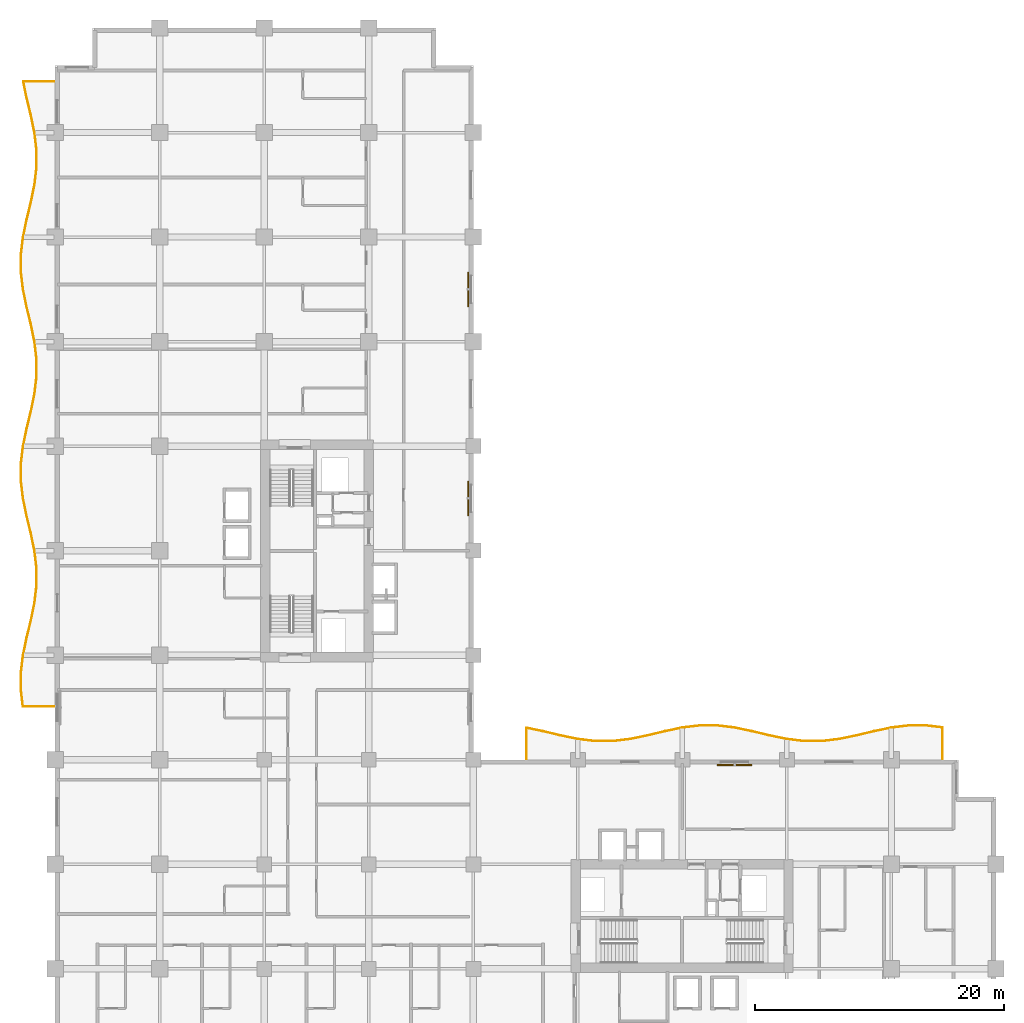
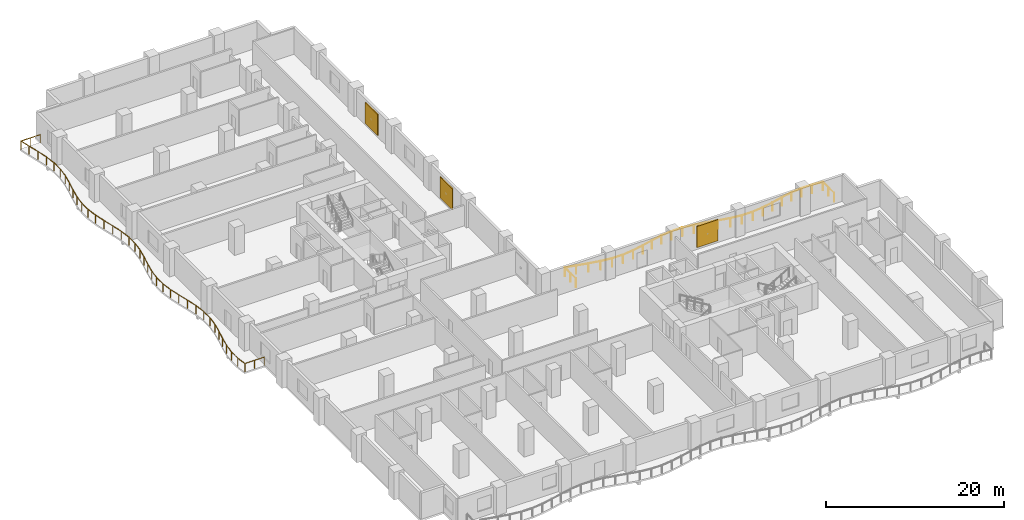
# One storey, part 18 of 18: 3 shading devices, 2 railings.
"""IFC4 building model written with IfcOpenShell, lengths in metres."""

from ifc_helpers import new_model, si_unit, direction, frame, origin, origin_2d, place, context, subcontext, project, spatial, rectangle, circle, extrude, material, layer, layer_set, type_object, element, save


model = new_model("IFC4")

# Units and contexts
model_context = context("Model", 3, precision=1e-05, world=origin(), true_north=direction((0.0, 1.0)))
body_context = subcontext(model_context, "Body", "Model", "MODEL_VIEW")
ifc_project = project(units=[si_unit("LENGTHUNIT", "METRE"), si_unit("AREAUNIT", "SQUARE_METRE"), si_unit("VOLUMEUNIT", "CUBIC_METRE"), si_unit("PLANEANGLEUNIT", "RADIAN"), si_unit("MASSUNIT", "GRAM", prefix="KILO")], contexts=[model_context])

# Site, building, storey
site_placement = place(None, origin())
site = spatial("IfcSite", under=ifc_project, at=site_placement, CompositionType="ELEMENT")
building_placement = place(site_placement, origin())
building = spatial("IfcBuilding", under=site, at=building_placement, Name="Koriwani Terraces Tower", CompositionType="ELEMENT")
storey_placement = place(building_placement, frame((0.0, 0.0, 107.60009765625)))
storey = spatial("IfcBuildingStorey", under=building, at=storey_placement, Name="L25", CompositionType="ELEMENT", Elevation=107.60009765625)

# Railings
ifc_material_1 = material(Name="Steel ASTM A572 Grade 50", Category="steel")
railing_type = type_object("IfcRailingType", Name="GUARD_BALUSTRADE_1150", PredefinedType="BALUSTRADE", material=ifc_material_1)
railing_1_placement = place(storey_placement, frame((-0.080078125, 37.8798828125, 0.0)))
element("IfcRailing", 1, at=railing_1_placement, inside=storey, type_object=railing_type, Name="L25 Balcony Perimeter Safety Balustrade (W)", PredefinedType="BALUSTRADE", context=body_context, shape_type="SweptSolid", body=[
    extrude(circle(Radius=0.02392578125, at=origin_2d()), frame((0.0, 0.0, 1.1259765625), z_axis=(-1.0, 0.0, 0.0), x_axis=(0.0, -1.0, 0.0)), (0.0, 0.0, 1.0), 2.508544921875),
    extrude(circle(Radius=0.02392578125, at=origin_2d()), frame((-2.508544921875, 0.0, 1.1259765625), z_axis=(-0.119282286421, 0.992860380993, 0.0), x_axis=(-0.992860380993, -0.119282286421, 0.0)), (0.0, 0.0, 1.0), 1.33447265625),
    extrude(circle(Radius=0.02392578125, at=origin_2d()), frame((-2.667724609375, 1.324951171875, 1.1259765625), z_axis=(0.0, 1.0, 0.0), x_axis=(-1.0, 0.0, 0.0)), (0.0, 0.0, 1.0), 1.390380859375),
    extrude(circle(Radius=0.02392578125, at=origin_2d()), frame((-2.667724609375, 2.71533203125, 1.1259765625), z_axis=(0.119296300234, 0.992858697273, 0.0), x_axis=(-0.992858697273, 0.119296300234, 0.0)), (0.0, 0.0, 1.0), 1.40185546875),
    extrude(circle(Radius=0.02392578125, at=origin_2d()), frame((-2.50048828125, 4.107177734375, 1.1259765625), z_axis=(0.203817459967, 0.979008908546, 0.0), x_axis=(-0.979008908546, 0.203817459967, 0.0)), (0.0, 0.0, 1.0), 1.425537109375),
    extrude(circle(Radius=0.02392578125, at=origin_2d()), frame((-2.2099609375, 5.502685546875, 1.1259765625), z_axis=(0.233667958249, 0.972316453264, 0.0), x_axis=(-0.972316453264, 0.233667958249, 0.0)), (0.0, 0.0, 1.0), 1.439697265625),
    extrude(circle(Radius=0.02392578125, at=origin_2d()), frame((-1.87353515625, 6.902587890625, 1.1259765625), z_axis=(0.203539678581, 0.979066698056, 0.0), x_axis=(-0.979066698056, 0.203539678581, 0.0)), (0.0, 0.0, 1.0), 1.4345703125),
    extrude(circle(Radius=0.02392578125, at=origin_2d()), frame((-1.58154296875, 8.30712890625, 1.1259765625), z_axis=(0.119287758056, 0.992859723616, 0.0), x_axis=(-0.992859723616, 0.119287758056, 0.0)), (0.0, 0.0, 1.0), 1.418212890625),
    extrude(circle(Radius=0.02392578125, at=origin_2d()), frame((-1.412353515625, 9.71533203125, 1.1259765625), z_axis=(0.0, 1.0, 0.0), x_axis=(-1.0, 0.0, 0.0)), (0.0, 0.0, 1.0), 1.40966796875),
    extrude(circle(Radius=0.02392578125, at=origin_2d()), frame((-1.412353515625, 11.125, 1.1259765625), z_axis=(-0.119308148191, 0.992857273618, 0.0), x_axis=(-0.992857273618, -0.119308148191, 0.0)), (0.0, 0.0, 1.0), 1.41796875),
    extrude(circle(Radius=0.02392578125, at=origin_2d()), frame((-1.58154296875, 12.532958984375, 1.1259765625), z_axis=(-0.203539678581, 0.979066698056, 0.0), x_axis=(-0.979066698056, -0.203539678581, 0.0)), (0.0, 0.0, 1.0), 1.4345703125),
    extrude(circle(Radius=0.02392578125, at=origin_2d()), frame((-1.87353515625, 13.9375, 1.1259765625), z_axis=(-0.233629438166, 0.972325709638, 0.0), x_axis=(-0.972325709638, -0.233629438166, 0.0)), (0.0, 0.0, 1.0), 1.43994140625),
    extrude(circle(Radius=0.02392578125, at=origin_2d()), frame((-2.2099609375, 15.337646484375, 1.1259765625), z_axis=(-0.20385164167, 0.979001791719, 0.0), x_axis=(-0.979001791719, -0.20385164167, 0.0)), (0.0, 0.0, 1.0), 1.42529296875),
    extrude(circle(Radius=0.02392578125, at=origin_2d()), frame((-2.50048828125, 16.73291015625, 1.1259765625), z_axis=(-0.119275676073, 0.992861175138, 0.0), x_axis=(-0.992861175138, -0.119275676073, 0.0)), (0.0, 0.0, 1.0), 1.402099609375),
    extrude(circle(Radius=0.02392578125, at=origin_2d()), frame((-2.667724609375, 18.125, 1.1259765625), z_axis=(0.0, 1.0, 0.0), x_axis=(-1.0, 0.0, 0.0)), (0.0, 0.0, 1.0), 1.390380859375),
    extrude(circle(Radius=0.02392578125, at=origin_2d()), frame((-2.667724609375, 19.515380859375, 1.1259765625), z_axis=(0.119296300234, 0.992858697273, 0.0), x_axis=(-0.992858697273, 0.119296300234, 0.0)), (0.0, 0.0, 1.0), 1.40185546875),
    extrude(circle(Radius=0.02392578125, at=origin_2d()), frame((-2.50048828125, 20.9072265625, 1.1259765625), z_axis=(0.203817459967, 0.979008908546, 0.0), x_axis=(-0.979008908546, 0.203817459967, 0.0)), (0.0, 0.0, 1.0), 1.425537109375),
    extrude(circle(Radius=0.02392578125, at=origin_2d()), frame((-2.2099609375, 22.302734375, 1.1259765625), z_axis=(0.233667958249, 0.972316453264, 0.0), x_axis=(-0.972316453264, 0.233667958249, 0.0)), (0.0, 0.0, 1.0), 1.439697265625),
    extrude(circle(Radius=0.02392578125, at=origin_2d()), frame((-1.87353515625, 23.70263671875, 1.1259765625), z_axis=(0.203539678581, 0.979066698056, 0.0), x_axis=(-0.979066698056, 0.203539678581, 0.0)), (0.0, 0.0, 1.0), 1.4345703125),
    extrude(circle(Radius=0.02392578125, at=origin_2d()), frame((-1.58154296875, 25.107177734375, 1.1259765625), z_axis=(0.119287758056, 0.992859723616, 0.0), x_axis=(-0.992859723616, 0.119287758056, 0.0)), (0.0, 0.0, 1.0), 1.418212890625),
    extrude(circle(Radius=0.02392578125, at=origin_2d()), frame((-1.412353515625, 26.515380859375, 1.1259765625), z_axis=(0.0, 1.0, 0.0), x_axis=(-1.0, 0.0, 0.0)), (0.0, 0.0, 1.0), 1.409423828125),
    extrude(circle(Radius=0.02392578125, at=origin_2d()), frame((-1.412353515625, 27.9248046875, 1.1259765625), z_axis=(-0.119287758056, 0.992859723616, 0.0), x_axis=(-0.992859723616, -0.119287758056, 0.0)), (0.0, 0.0, 1.0), 1.418212890625),
    extrude(circle(Radius=0.02392578125, at=origin_2d()), frame((-1.58154296875, 29.3330078125, 1.1259765625), z_axis=(-0.203539678581, 0.979066698056, 0.0), x_axis=(-0.979066698056, -0.203539678581, 0.0)), (0.0, 0.0, 1.0), 1.4345703125),
    extrude(circle(Radius=0.02392578125, at=origin_2d()), frame((-1.87353515625, 30.737548828125, 1.1259765625), z_axis=(-0.233629438166, 0.972325709638, 0.0), x_axis=(-0.972325709638, -0.233629438166, 0.0)), (0.0, 0.0, 1.0), 1.43994140625),
    extrude(circle(Radius=0.02392578125, at=origin_2d()), frame((-2.2099609375, 32.1376953125, 1.1259765625), z_axis=(-0.20385164167, 0.979001791719, 0.0), x_axis=(-0.979001791719, -0.20385164167, 0.0)), (0.0, 0.0, 1.0), 1.42529296875),
    extrude(circle(Radius=0.02392578125, at=origin_2d()), frame((-2.50048828125, 33.532958984375, 1.1259765625), z_axis=(-0.119296300234, 0.992858697273, 0.0), x_axis=(-0.992858697273, -0.119296300234, 0.0)), (0.0, 0.0, 1.0), 1.40185546875),
    extrude(circle(Radius=0.02392578125, at=origin_2d()), frame((-2.667724609375, 34.9248046875, 1.1259765625), z_axis=(0.0, 1.0, 0.0), x_axis=(-1.0, 0.0, 0.0)), (0.0, 0.0, 1.0), 1.390625),
    extrude(circle(Radius=0.02392578125, at=origin_2d()), frame((-2.667724609375, 36.3154296875, 1.1259765625), z_axis=(0.119296300234, 0.992858697273, 0.0), x_axis=(-0.992858697273, 0.119296300234, 0.0)), (0.0, 0.0, 1.0), 1.40185546875),
    extrude(circle(Radius=0.02392578125, at=origin_2d()), frame((-2.50048828125, 37.707275390625, 1.1259765625), z_axis=(0.20385164167, 0.979001791719, 0.0), x_axis=(-0.979001791719, 0.20385164167, 0.0)), (0.0, 0.0, 1.0), 1.42529296875),
    extrude(circle(Radius=0.02392578125, at=origin_2d()), frame((-2.2099609375, 39.1025390625, 1.1259765625), z_axis=(0.233629438166, 0.972325709638, 0.0), x_axis=(-0.972325709638, 0.233629438166, 0.0)), (0.0, 0.0, 1.0), 1.43994140625),
    extrude(circle(Radius=0.02392578125, at=origin_2d()), frame((-1.87353515625, 40.502685546875, 1.1259765625), z_axis=(0.203539678581, 0.979066698056, 0.0), x_axis=(-0.979066698056, 0.203539678581, 0.0)), (0.0, 0.0, 1.0), 1.4345703125),
    extrude(circle(Radius=0.02392578125, at=origin_2d()), frame((-1.58154296875, 41.9072265625, 1.1259765625), z_axis=(0.119287758056, 0.992859723616, 0.0), x_axis=(-0.992859723616, 0.119287758056, 0.0)), (0.0, 0.0, 1.0), 1.418212890625),
    extrude(circle(Radius=0.02392578125, at=origin_2d()), frame((-1.412353515625, 43.3154296875, 1.1259765625), z_axis=(0.0, 1.0, 0.0), x_axis=(-1.0, 0.0, 0.0)), (0.0, 0.0, 1.0), 1.409423828125),
    extrude(circle(Radius=0.02392578125, at=origin_2d()), frame((-1.412353515625, 44.724853515625, 1.1259765625), z_axis=(-0.119287758056, 0.992859723616, 0.0), x_axis=(-0.992859723616, -0.119287758056, 0.0)), (0.0, 0.0, 1.0), 1.418212890625),
    extrude(circle(Radius=0.02392578125, at=origin_2d()), frame((-1.58154296875, 46.133056640625, 1.1259765625), z_axis=(-0.203539678581, 0.979066698056, 0.0), x_axis=(-0.979066698056, -0.203539678581, 0.0)), (0.0, 0.0, 1.0), 1.4345703125),
    extrude(circle(Radius=0.02392578125, at=origin_2d()), frame((-1.87353515625, 47.53759765625, 1.1259765625), z_axis=(-0.233667958249, 0.972316453264, 0.0), x_axis=(-0.972316453264, -0.233667958249, 0.0)), (0.0, 0.0, 1.0), 1.439697265625),
    extrude(circle(Radius=0.02392578125, at=origin_2d()), frame((-2.2099609375, 48.9375, 1.1259765625), z_axis=(-0.203837026158, 0.979004834905, 0.0), x_axis=(-0.979004834905, -0.203837026158, 0.0)), (0.0, 0.0, 1.0), 1.33056640625),
    extrude(circle(Radius=0.02392578125, at=origin_2d()), frame((-2.481201171875, 50.240234375, 1.1259765625), z_axis=(1.0, 0.0, 0.0), x_axis=(0.0, 1.0, 0.0)), (0.0, 0.0, 1.0), 2.481201171875),
    extrude(circle(Radius=0.02099609375, at=origin_2d()), origin(), (0.0, 0.0, 1.0), 1.101806640625),
    extrude(circle(Radius=0.02099609375, at=origin_2d()), frame((-1.25439453125, 0.0, 0.0)), (0.0, 0.0, 1.0), 1.101806640625),
    extrude(circle(Radius=0.02099609375, at=origin_2d()), frame((-2.508544921875, 0.0, 0.0)), (0.0, 0.0, 1.0), 1.101806640625),
    extrude(circle(Radius=0.02099609375, at=origin_2d()), frame((-2.667724609375, 1.324951171875, 0.0)), (0.0, 0.0, 1.0), 1.101806640625),
    extrude(circle(Radius=0.02099609375, at=origin_2d()), frame((-2.667724609375, 2.71533203125, 0.0)), (0.0, 0.0, 1.0), 1.101806640625),
    extrude(circle(Radius=0.02099609375, at=origin_2d()), frame((-2.50048828125, 4.107177734375, 0.0)), (0.0, 0.0, 1.0), 1.101806640625),
    extrude(circle(Radius=0.02099609375, at=origin_2d()), frame((-2.2099609375, 5.502685546875, 0.0)), (0.0, 0.0, 1.0), 1.101806640625),
    extrude(circle(Radius=0.02099609375, at=origin_2d()), frame((-1.87353515625, 6.902587890625, 0.0)), (0.0, 0.0, 1.0), 1.101806640625),
    extrude(circle(Radius=0.02099609375, at=origin_2d()), frame((-1.58154296875, 8.30712890625, 0.0)), (0.0, 0.0, 1.0), 1.101806640625),
    extrude(circle(Radius=0.02099609375, at=origin_2d()), frame((-1.412353515625, 9.71533203125, 0.0)), (0.0, 0.0, 1.0), 1.101806640625),
    extrude(circle(Radius=0.02099609375, at=origin_2d()), frame((-1.412353515625, 11.125, 0.0)), (0.0, 0.0, 1.0), 1.101806640625),
    extrude(circle(Radius=0.02099609375, at=origin_2d()), frame((-1.58154296875, 12.532958984375, 0.0)), (0.0, 0.0, 1.0), 1.101806640625),
    extrude(circle(Radius=0.02099609375, at=origin_2d()), frame((-1.87353515625, 13.9375, 0.0)), (0.0, 0.0, 1.0), 1.101806640625),
    extrude(circle(Radius=0.02099609375, at=origin_2d()), frame((-2.2099609375, 15.337646484375, 0.0)), (0.0, 0.0, 1.0), 1.101806640625),
    extrude(circle(Radius=0.02099609375, at=origin_2d()), frame((-2.50048828125, 16.73291015625, 0.0)), (0.0, 0.0, 1.0), 1.101806640625),
    extrude(circle(Radius=0.02099609375, at=origin_2d()), frame((-2.667724609375, 18.125, 0.0)), (0.0, 0.0, 1.0), 1.101806640625),
    extrude(circle(Radius=0.02099609375, at=origin_2d()), frame((-2.667724609375, 19.515380859375, 0.0)), (0.0, 0.0, 1.0), 1.101806640625),
    extrude(circle(Radius=0.02099609375, at=origin_2d()), frame((-2.50048828125, 20.9072265625, 0.0)), (0.0, 0.0, 1.0), 1.101806640625),
    extrude(circle(Radius=0.02099609375, at=origin_2d()), frame((-2.2099609375, 22.302734375, 0.0)), (0.0, 0.0, 1.0), 1.101806640625),
    extrude(circle(Radius=0.02099609375, at=origin_2d()), frame((-1.87353515625, 23.70263671875, 0.0)), (0.0, 0.0, 1.0), 1.101806640625),
    extrude(circle(Radius=0.02099609375, at=origin_2d()), frame((-1.58154296875, 25.107177734375, 0.0)), (0.0, 0.0, 1.0), 1.101806640625),
    extrude(circle(Radius=0.02099609375, at=origin_2d()), frame((-1.412353515625, 26.515380859375, 0.0)), (0.0, 0.0, 1.0), 1.101806640625),
    extrude(circle(Radius=0.02099609375, at=origin_2d()), frame((-1.412353515625, 27.9248046875, 0.0)), (0.0, 0.0, 1.0), 1.101806640625),
    extrude(circle(Radius=0.02099609375, at=origin_2d()), frame((-1.58154296875, 29.3330078125, 0.0)), (0.0, 0.0, 1.0), 1.101806640625),
    extrude(circle(Radius=0.02099609375, at=origin_2d()), frame((-1.87353515625, 30.737548828125, 0.0)), (0.0, 0.0, 1.0), 1.101806640625),
    extrude(circle(Radius=0.02099609375, at=origin_2d()), frame((-2.2099609375, 32.1376953125, 0.0)), (0.0, 0.0, 1.0), 1.101806640625),
    extrude(circle(Radius=0.02099609375, at=origin_2d()), frame((-2.50048828125, 33.532958984375, 0.0)), (0.0, 0.0, 1.0), 1.101806640625),
    extrude(circle(Radius=0.02099609375, at=origin_2d()), frame((-2.667724609375, 34.9248046875, 0.0)), (0.0, 0.0, 1.0), 1.101806640625),
    extrude(circle(Radius=0.02099609375, at=origin_2d()), frame((-2.667724609375, 36.3154296875, 0.0)), (0.0, 0.0, 1.0), 1.101806640625),
    extrude(circle(Radius=0.02099609375, at=origin_2d()), frame((-2.50048828125, 37.707275390625, 0.0)), (0.0, 0.0, 1.0), 1.101806640625),
    extrude(circle(Radius=0.02099609375, at=origin_2d()), frame((-2.2099609375, 39.1025390625, 0.0)), (0.0, 0.0, 1.0), 1.101806640625),
    extrude(circle(Radius=0.02099609375, at=origin_2d()), frame((-1.87353515625, 40.502685546875, 0.0)), (0.0, 0.0, 1.0), 1.101806640625),
    extrude(circle(Radius=0.02099609375, at=origin_2d()), frame((-1.58154296875, 41.9072265625, 0.0)), (0.0, 0.0, 1.0), 1.101806640625),
    extrude(circle(Radius=0.02099609375, at=origin_2d()), frame((-1.412353515625, 43.3154296875, 0.0)), (0.0, 0.0, 1.0), 1.101806640625),
    extrude(circle(Radius=0.02099609375, at=origin_2d()), frame((-1.412353515625, 44.724853515625, 0.0)), (0.0, 0.0, 1.0), 1.101806640625),
    extrude(circle(Radius=0.02099609375, at=origin_2d()), frame((-1.58154296875, 46.133056640625, 0.0)), (0.0, 0.0, 1.0), 1.101806640625),
    extrude(circle(Radius=0.02099609375, at=origin_2d()), frame((-1.87353515625, 47.53759765625, 0.0)), (0.0, 0.0, 1.0), 1.101806640625),
    extrude(circle(Radius=0.02099609375, at=origin_2d()), frame((-2.2099609375, 48.9375, 0.0)), (0.0, 0.0, 1.0), 1.101806640625),
    extrude(circle(Radius=0.02099609375, at=origin_2d()), frame((-2.481201171875, 50.240234375, 0.0)), (0.0, 0.0, 1.0), 1.101806640625),
    extrude(circle(Radius=0.02099609375, at=origin_2d()), frame((-1.24072265625, 50.240234375, 0.0)), (0.0, 0.0, 1.0), 1.101806640625),
    extrude(circle(Radius=0.02099609375, at=origin_2d()), frame((0.0, 50.240234375, 0.0)), (0.0, 0.0, 1.0), 1.101806640625),
])
railing_2_placement = place(storey_placement, frame((71.320068359375, 33.679931640625, 0.0)))
element("IfcRailing", 2, at=railing_2_placement, inside=storey, type_object=railing_type, Name="L25 Balcony Perimeter Safety Balustrade (NE)", PredefinedType="BALUSTRADE", context=body_context, shape_type="SweptSolid", body=[
    extrude(circle(Radius=0.02392578125, at=origin_2d()), frame((0.0, 0.0, 1.1259765625), z_axis=(0.0, 1.0, 0.0), x_axis=(-1.0, 0.0, 0.0)), (0.0, 0.0, 1.0), 2.5087890625),
    extrude(circle(Radius=0.02392578125, at=origin_2d()), frame((0.0, 2.5087890625, 1.1259765625), z_axis=(-0.992860380993, 0.119282286421, 0.0), x_axis=(-0.119282286421, -0.992860380993, 0.0)), (0.0, 0.0, 1.0), 1.33447265625),
    extrude(circle(Radius=0.02392578125, at=origin_2d()), frame((-1.324951171875, 2.66796875, 1.1259765625), z_axis=(-1.0, 0.0, 0.0), x_axis=(0.0, -1.0, 0.0)), (0.0, 0.0, 1.0), 1.390380859375),
    extrude(circle(Radius=0.02392578125, at=origin_2d()), frame((-2.71533203125, 2.66796875, 1.1259765625), z_axis=(-0.992858697273, -0.119296300234, 0.0), x_axis=(0.119296300234, -0.992858697273, 0.0)), (0.0, 0.0, 1.0), 1.40185546875),
    extrude(circle(Radius=0.02392578125, at=origin_2d()), frame((-4.107177734375, 2.500732421875, 1.1259765625), z_axis=(-0.979008908546, -0.203817459967, 0.0), x_axis=(0.203817459967, -0.979008908546, 0.0)), (0.0, 0.0, 1.0), 1.425537109375),
    extrude(circle(Radius=0.02392578125, at=origin_2d()), frame((-5.502685546875, 2.210205078125, 1.1259765625), z_axis=(-0.972316453264, -0.233667958249, 0.0), x_axis=(0.233667958249, -0.972316453264, 0.0)), (0.0, 0.0, 1.0), 1.439697265625),
    extrude(circle(Radius=0.02392578125, at=origin_2d()), frame((-6.902587890625, 1.873779296875, 1.1259765625), z_axis=(-0.979032771622, -0.203702803343, 0.0), x_axis=(0.203702803343, -0.979032771622, 0.0)), (0.0, 0.0, 1.0), 1.4345703125),
    extrude(circle(Radius=0.02392578125, at=origin_2d()), frame((-8.30712890625, 1.58154296875, 1.1259765625), z_axis=(-0.992859723616, -0.119287758056, 0.0), x_axis=(0.119287758056, -0.992859723616, 0.0)), (0.0, 0.0, 1.0), 1.418212890625),
    extrude(circle(Radius=0.02392578125, at=origin_2d()), frame((-9.71533203125, 1.412353515625, 1.1259765625), z_axis=(-1.0, 0.0, 0.0), x_axis=(0.0, -1.0, 0.0)), (0.0, 0.0, 1.0), 1.409423828125),
    extrude(circle(Radius=0.02392578125, at=origin_2d()), frame((-11.124755859375, 1.412353515625, 1.1259765625), z_axis=(-0.992859723616, 0.119287758056, 0.0), x_axis=(-0.119287758056, -0.992859723616, 0.0)), (0.0, 0.0, 1.0), 1.418212890625),
    extrude(circle(Radius=0.02392578125, at=origin_2d()), frame((-12.532958984375, 1.58154296875, 1.1259765625), z_axis=(-0.979032771622, 0.203702803343, 0.0), x_axis=(-0.203702803343, -0.979032771622, 0.0)), (0.0, 0.0, 1.0), 1.4345703125),
    extrude(circle(Radius=0.02392578125, at=origin_2d()), frame((-13.9375, 1.873779296875, 1.1259765625), z_axis=(-0.972325709638, 0.233629438166, 0.0), x_axis=(-0.233629438166, -0.972325709638, 0.0)), (0.0, 0.0, 1.0), 1.43994140625),
    extrude(circle(Radius=0.02392578125, at=origin_2d()), frame((-15.337646484375, 2.210205078125, 1.1259765625), z_axis=(-0.979001791719, 0.20385164167, 0.0), x_axis=(-0.20385164167, -0.979001791719, 0.0)), (0.0, 0.0, 1.0), 1.42529296875),
    extrude(circle(Radius=0.02392578125, at=origin_2d()), frame((-16.73291015625, 2.500732421875, 1.1259765625), z_axis=(-0.992858697273, 0.119296300234, 0.0), x_axis=(-0.119296300234, -0.992858697273, 0.0)), (0.0, 0.0, 1.0), 1.40185546875),
    extrude(circle(Radius=0.02392578125, at=origin_2d()), frame((-18.124755859375, 2.66796875, 1.1259765625), z_axis=(-1.0, 0.0, 0.0), x_axis=(0.0, -1.0, 0.0)), (0.0, 0.0, 1.0), 1.390625),
    extrude(circle(Radius=0.02392578125, at=origin_2d()), frame((-19.515380859375, 2.66796875, 1.1259765625), z_axis=(-0.992858697273, -0.119296300234, 0.0), x_axis=(0.119296300234, -0.992858697273, 0.0)), (0.0, 0.0, 1.0), 1.40185546875),
    extrude(circle(Radius=0.02392578125, at=origin_2d()), frame((-20.9072265625, 2.500732421875, 1.1259765625), z_axis=(-0.979001791719, -0.20385164167, 0.0), x_axis=(0.20385164167, -0.979001791719, 0.0)), (0.0, 0.0, 1.0), 1.42529296875),
    extrude(circle(Radius=0.02392578125, at=origin_2d()), frame((-22.302490234375, 2.210205078125, 1.1259765625), z_axis=(-0.972325709638, -0.233629438166, 0.0), x_axis=(0.233629438166, -0.972325709638, 0.0)), (0.0, 0.0, 1.0), 1.43994140625),
    extrude(circle(Radius=0.02392578125, at=origin_2d()), frame((-23.70263671875, 1.873779296875, 1.1259765625), z_axis=(-0.979032771622, -0.203702803343, 0.0), x_axis=(0.203702803343, -0.979032771622, 0.0)), (0.0, 0.0, 1.0), 1.4345703125),
    extrude(circle(Radius=0.02392578125, at=origin_2d()), frame((-25.107177734375, 1.58154296875, 1.1259765625), z_axis=(-0.992859723616, -0.119287758056, 0.0), x_axis=(0.119287758056, -0.992859723616, 0.0)), (0.0, 0.0, 1.0), 1.418212890625),
    extrude(circle(Radius=0.02392578125, at=origin_2d()), frame((-26.515380859375, 1.412353515625, 1.1259765625), z_axis=(-1.0, 0.0, 0.0), x_axis=(0.0, -1.0, 0.0)), (0.0, 0.0, 1.0), 1.409423828125),
    extrude(circle(Radius=0.02392578125, at=origin_2d()), frame((-27.9248046875, 1.412353515625, 1.1259765625), z_axis=(-0.992859723616, 0.119287758056, 0.0), x_axis=(-0.119287758056, -0.992859723616, 0.0)), (0.0, 0.0, 1.0), 1.418212890625),
    extrude(circle(Radius=0.02392578125, at=origin_2d()), frame((-29.3330078125, 1.58154296875, 1.1259765625), z_axis=(-0.979032771622, 0.203702803343, 0.0), x_axis=(-0.203702803343, -0.979032771622, 0.0)), (0.0, 0.0, 1.0), 1.4345703125),
    extrude(circle(Radius=0.02392578125, at=origin_2d()), frame((-30.737548828125, 1.873779296875, 1.1259765625), z_axis=(-0.972316453264, 0.233667958249, 0.0), x_axis=(-0.233667958249, -0.972316453264, 0.0)), (0.0, 0.0, 1.0), 1.439697265625),
    extrude(circle(Radius=0.02392578125, at=origin_2d()), frame((-32.137451171875, 2.210205078125, 1.1259765625), z_axis=(-0.979041433615, 0.203661167787, 0.0), x_axis=(-0.203661167787, -0.979041433615, 0.0)), (0.0, 0.0, 1.0), 1.33056640625),
    extrude(circle(Radius=0.02392578125, at=origin_2d()), frame((-33.440185546875, 2.481201171875, 1.1259765625), z_axis=(0.0, -1.0, 0.0), x_axis=(1.0, 0.0, 0.0)), (0.0, 0.0, 1.0), 2.481201171875),
    extrude(circle(Radius=0.02099609375, at=origin_2d()), origin(), (0.0, 0.0, 1.0), 1.101806640625),
    extrude(circle(Radius=0.02099609375, at=origin_2d()), frame((0.0, 1.25439453125, 0.0)), (0.0, 0.0, 1.0), 1.101806640625),
    extrude(circle(Radius=0.02099609375, at=origin_2d()), frame((0.0, 2.5087890625, 0.0)), (0.0, 0.0, 1.0), 1.101806640625),
    extrude(circle(Radius=0.02099609375, at=origin_2d()), frame((-1.324951171875, 2.66796875, 0.0)), (0.0, 0.0, 1.0), 1.101806640625),
    extrude(circle(Radius=0.02099609375, at=origin_2d()), frame((-2.71533203125, 2.66796875, 0.0)), (0.0, 0.0, 1.0), 1.101806640625),
    extrude(circle(Radius=0.02099609375, at=origin_2d()), frame((-4.107177734375, 2.500732421875, 0.0)), (0.0, 0.0, 1.0), 1.101806640625),
    extrude(circle(Radius=0.02099609375, at=origin_2d()), frame((-5.502685546875, 2.210205078125, 0.0)), (0.0, 0.0, 1.0), 1.101806640625),
    extrude(circle(Radius=0.02099609375, at=origin_2d()), frame((-6.902587890625, 1.873779296875, 0.0)), (0.0, 0.0, 1.0), 1.101806640625),
    extrude(circle(Radius=0.02099609375, at=origin_2d()), frame((-8.30712890625, 1.58154296875, 0.0)), (0.0, 0.0, 1.0), 1.101806640625),
    extrude(circle(Radius=0.02099609375, at=origin_2d()), frame((-9.71533203125, 1.412353515625, 0.0)), (0.0, 0.0, 1.0), 1.101806640625),
    extrude(circle(Radius=0.02099609375, at=origin_2d()), frame((-11.124755859375, 1.412353515625, 0.0)), (0.0, 0.0, 1.0), 1.101806640625),
    extrude(circle(Radius=0.02099609375, at=origin_2d()), frame((-12.532958984375, 1.58154296875, 0.0)), (0.0, 0.0, 1.0), 1.101806640625),
    extrude(circle(Radius=0.02099609375, at=origin_2d()), frame((-13.9375, 1.873779296875, 0.0)), (0.0, 0.0, 1.0), 1.101806640625),
    extrude(circle(Radius=0.02099609375, at=origin_2d()), frame((-15.337646484375, 2.210205078125, 0.0)), (0.0, 0.0, 1.0), 1.101806640625),
    extrude(circle(Radius=0.02099609375, at=origin_2d()), frame((-16.73291015625, 2.500732421875, 0.0)), (0.0, 0.0, 1.0), 1.101806640625),
    extrude(circle(Radius=0.02099609375, at=origin_2d()), frame((-18.124755859375, 2.66796875, 0.0)), (0.0, 0.0, 1.0), 1.101806640625),
    extrude(circle(Radius=0.02099609375, at=origin_2d()), frame((-19.515380859375, 2.66796875, 0.0)), (0.0, 0.0, 1.0), 1.101806640625),
    extrude(circle(Radius=0.02099609375, at=origin_2d()), frame((-20.9072265625, 2.500732421875, 0.0)), (0.0, 0.0, 1.0), 1.101806640625),
    extrude(circle(Radius=0.02099609375, at=origin_2d()), frame((-22.302490234375, 2.210205078125, 0.0)), (0.0, 0.0, 1.0), 1.101806640625),
    extrude(circle(Radius=0.02099609375, at=origin_2d()), frame((-23.70263671875, 1.873779296875, 0.0)), (0.0, 0.0, 1.0), 1.101806640625),
    extrude(circle(Radius=0.02099609375, at=origin_2d()), frame((-25.107177734375, 1.58154296875, 0.0)), (0.0, 0.0, 1.0), 1.101806640625),
    extrude(circle(Radius=0.02099609375, at=origin_2d()), frame((-26.515380859375, 1.412353515625, 0.0)), (0.0, 0.0, 1.0), 1.101806640625),
    extrude(circle(Radius=0.02099609375, at=origin_2d()), frame((-27.9248046875, 1.412353515625, 0.0)), (0.0, 0.0, 1.0), 1.101806640625),
    extrude(circle(Radius=0.02099609375, at=origin_2d()), frame((-29.3330078125, 1.58154296875, 0.0)), (0.0, 0.0, 1.0), 1.101806640625),
    extrude(circle(Radius=0.02099609375, at=origin_2d()), frame((-30.737548828125, 1.873779296875, 0.0)), (0.0, 0.0, 1.0), 1.101806640625),
    extrude(circle(Radius=0.02099609375, at=origin_2d()), frame((-32.137451171875, 2.210205078125, 0.0)), (0.0, 0.0, 1.0), 1.101806640625),
    extrude(circle(Radius=0.02099609375, at=origin_2d()), frame((-33.440185546875, 2.481201171875, 0.0)), (0.0, 0.0, 1.0), 1.101806640625),
    extrude(circle(Radius=0.02099609375, at=origin_2d()), frame((-33.440185546875, 1.24072265625, 0.0)), (0.0, 0.0, 1.0), 1.101806640625),
    extrude(circle(Radius=0.02099609375, at=origin_2d()), frame((-33.440185546875, 0.0, 0.0)), (0.0, 0.0, 1.0), 1.101806640625),
])

# Shading devices
ifc_material_2 = material(Name="Extruded Terracotta Clay", Category="masonry")
ifc_layer = layer(ifc_material_2, 0.1201171875, Name="Extruded Terracotta Clay")
ifc_layer_set = layer_set([ifc_layer], Name="Extruded Terracotta Clay")
shading_device_type = type_object("IfcShadingDeviceType", Name="TERRACOTTA_BAGUETTE_SCREEN_2800", PredefinedType="USERDEFINED", material=ifc_layer_set)
for number, where, z_axis, x_axis, name in (
    (3, (33.195068359375, 54.60009765625, 0.324951171875), (0.0, 0.0, 1.0), (0.0, -1.0, 0.0), "L25 Extruded Terracotta Baguette Screen (NW_IN-8)"),
    (4, (33.195068359375, 71.39990234375, 0.324951171875), (0.0, 0.0, 1.0), (0.0, -1.0, 0.0), "L25 Extruded Terracotta Baguette Screen (NW_IN-14)"),
    (5, (54.60009765625, 33.195068359375, 0.324951171875), (0.0, 0.0, 1.0), (1.0, 0.0, 0.0), "L25 Extruded Terracotta Baguette Screen (NE-8)"),
):
    element("IfcShadingDevice", number, at=place(storey_placement, frame(where, z_axis=z_axis, x_axis=x_axis)), inside=storey, type_object=shading_device_type, Name=name, ObjectType="BAGUETTE", PredefinedType="USERDEFINED", context=body_context, shape_type="SweptSolid", body=[
        extrude(rectangle(XDim=2.760009765625, YDim=0.1201171875, at=origin_2d()), origin(), (0.0, 0.0, 1.0), 2.89990234375),
    ])

save(model, "model.ifc")
